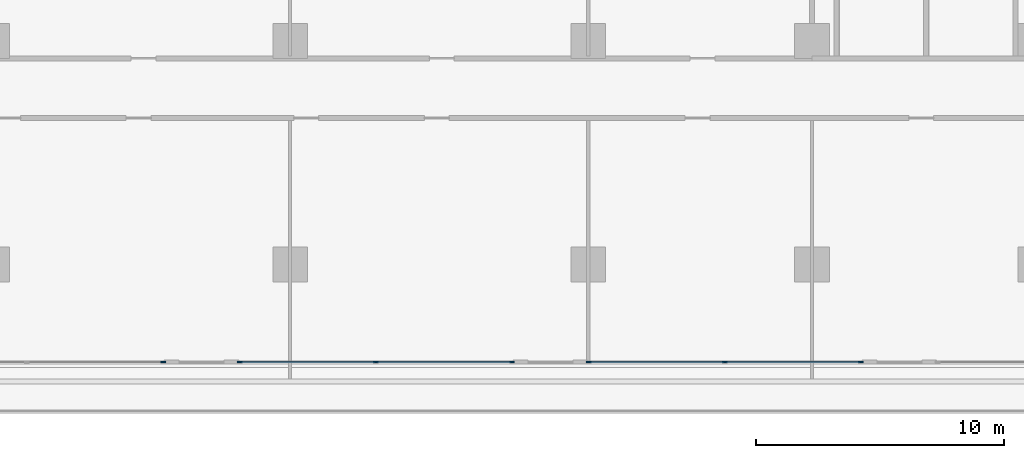
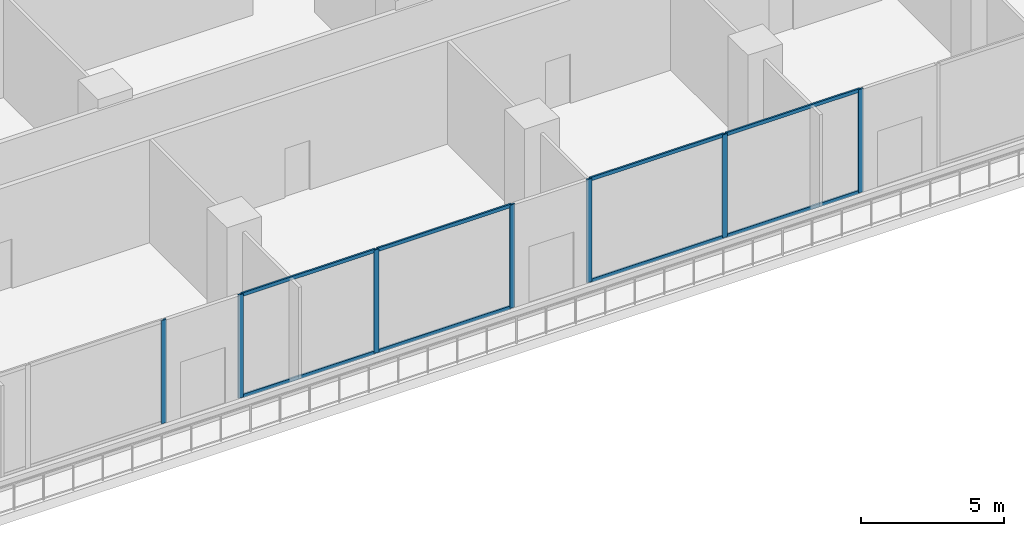
# One storey, part 4 of 31: 15 members, 3 elements without a shape of their own.
"""IFC4 building model written with IfcOpenShell, lengths in metres."""

from ifc_helpers import new_model, si_unit, direction, frame, origin, origin_2d, place, context, subcontext, project, spatial, rectangle, extrude, material, layer, layer_set, material_profile, profile_set, type_object, element, aggregate, save


model = new_model("IFC4")

# Units and contexts
model_context = context("Model", 3, precision=1e-05, world=origin(), true_north=direction((0.0, 1.0)))
body_context = subcontext(model_context, "Body", "Model", "MODEL_VIEW")
ifc_project = project(units=[si_unit("LENGTHUNIT", "METRE"), si_unit("AREAUNIT", "SQUARE_METRE"), si_unit("VOLUMEUNIT", "CUBIC_METRE"), si_unit("PLANEANGLEUNIT", "RADIAN"), si_unit("MASSUNIT", "GRAM", prefix="KILO")], contexts=[model_context])

# Site, building, storey
site_placement = place(None, origin())
site = spatial("IfcSite", under=ifc_project, at=site_placement, CompositionType="ELEMENT")
building_placement = place(site_placement, origin())
building = spatial("IfcBuilding", under=site, at=building_placement, Name="Chenar Terraces", CompositionType="ELEMENT")
storey_placement = place(building_placement, frame((0.0, 0.0, 7.199951171875)))
storey = spatial("IfcBuildingStorey", under=building, at=storey_placement, Name="L01", CompositionType="ELEMENT", Elevation=7.199951171875)

# Curtain wall, member
ifc_material_1 = material(Name="Aluminium framed glazing", Category="aluminium")
ifc_layer = layer(ifc_material_1, 0.14990234375)
ifc_layer_set = layer_set([ifc_layer], Name="Aluminium framed glazing")
curtain_wall_type = type_object("IfcCurtainWallType", Name="School curtain wall", PredefinedType="NOTDEFINED", material=ifc_layer_set)
placement = place(storey_placement, origin())
curtain_wall_1 = element("IfcCurtainWall", 1, at=placement, inside=storey, type_object=curtain_wall_type, Name="School curtain wall", PredefinedType="NOTDEFINED")
ifc_material_2 = material(Name="Aluminium", Category="aluminium")
ifc_material_profile_1 = material_profile(ifc_material_2, rectangle(XDim=0.070068359375, YDim=0.199951171875, at=origin_2d()), Name="School glazing mullion 70 x 200")
ifc_profile_set_1 = profile_set([ifc_material_profile_1], Name="Aluminium")
member_type_1 = type_object("IfcMemberType", Name="School glazing mullion 70 x 200", PredefinedType="MULLION", material=ifc_profile_set_1)
member_1_placement = place(storey_placement, frame((18.88427734375, -12.925048828125, 0.0), z_axis=(0.0, 0.0, 1.0), x_axis=(0.0, 1.0, 0.0)))
member_1 = element("IfcMember", 2, at=member_1_placement, type_object=member_type_1, Name="CW2-06c0 mullion 3", PredefinedType="MULLION", context=body_context, shape_type="SweptSolid", body=[
    extrude(rectangle(XDim=0.070068359375, YDim=0.199951171875, at=origin_2d()), origin(), (0.0, 0.0, 1.0), 4.400146484375),
])
aggregate(curtain_wall_1, [member_1])

# Curtain wall, members
curtain_wall_2 = element("IfcCurtainWall", 3, at=placement, inside=storey, type_object=curtain_wall_type, Name="School curtain wall", PredefinedType="NOTDEFINED")
member_2_placement = place(storey_placement, frame((21.9794921875, -12.925048828125, 0.0), z_axis=(0.0, 0.0, 1.0), x_axis=(0.0, 1.0, 0.0)))
member_2 = element("IfcMember", 4, at=member_2_placement, type_object=member_type_1, Name="CW2-06c1 mullion 1", PredefinedType="MULLION", context=body_context, shape_type="SweptSolid", body=[
    extrude(rectangle(XDim=0.070068359375, YDim=0.199951171875, at=origin_2d()), origin(), (0.0, 0.0, 1.0), 4.400146484375),
])
member_3_placement = place(storey_placement, frame((27.45458984375, -12.925048828125, 0.0), z_axis=(0.0, 0.0, 1.0), x_axis=(0.0, 1.0, 0.0)))
member_3 = element("IfcMember", 5, at=member_3_placement, type_object=member_type_1, Name="CW2-06c1 mullion 2", PredefinedType="MULLION", context=body_context, shape_type="SweptSolid", body=[
    extrude(rectangle(XDim=0.070068359375, YDim=0.199951171875, at=origin_2d()), origin(), (0.0, 0.0, 1.0), 4.400146484375),
])
member_4_placement = place(storey_placement, frame((32.9296875, -12.925048828125, 0.0), z_axis=(0.0, 0.0, 1.0), x_axis=(0.0, 1.0, 0.0)))
member_4 = element("IfcMember", 6, at=member_4_placement, type_object=member_type_1, Name="CW2-06c1 mullion 3", PredefinedType="MULLION", context=body_context, shape_type="SweptSolid", body=[
    extrude(rectangle(XDim=0.070068359375, YDim=0.199951171875, at=origin_2d()), origin(), (0.0, 0.0, 1.0), 4.400146484375),
])

curtain_wall_3 = element("IfcCurtainWall", 7, at=placement, inside=storey, type_object=curtain_wall_type, Name="School curtain wall", PredefinedType="NOTDEFINED")
member_5_placement = place(storey_placement, frame((36.02490234375, -12.925048828125, 0.0), z_axis=(0.0, 0.0, 1.0), x_axis=(0.0, 1.0, 0.0)))
member_5 = element("IfcMember", 8, at=member_5_placement, type_object=member_type_1, Name="CW2-06c2 mullion 1", PredefinedType="MULLION", context=body_context, shape_type="SweptSolid", body=[
    extrude(rectangle(XDim=0.070068359375, YDim=0.199951171875, at=origin_2d()), origin(), (0.0, 0.0, 1.0), 4.400146484375),
])
member_6_placement = place(storey_placement, frame((41.5, -12.925048828125, 0.0), z_axis=(0.0, 0.0, 1.0), x_axis=(0.0, 1.0, 0.0)))
member_6 = element("IfcMember", 9, at=member_6_placement, type_object=member_type_1, Name="CW2-06c2 mullion 2", PredefinedType="MULLION", context=body_context, shape_type="SweptSolid", body=[
    extrude(rectangle(XDim=0.070068359375, YDim=0.199951171875, at=origin_2d()), origin(), (0.0, 0.0, 1.0), 4.400146484375),
])
member_7_placement = place(storey_placement, frame((46.97509765625, -12.925048828125, 0.0), z_axis=(0.0, 0.0, 1.0), x_axis=(0.0, 1.0, 0.0)))
member_7 = element("IfcMember", 10, at=member_7_placement, type_object=member_type_1, Name="CW2-06c2 mullion 3", PredefinedType="MULLION", context=body_context, shape_type="SweptSolid", body=[
    extrude(rectangle(XDim=0.070068359375, YDim=0.199951171875, at=origin_2d()), origin(), (0.0, 0.0, 1.0), 4.400146484375),
])

# Member
ifc_material_3 = material(Name="Aluminium", Category="aluminium")
ifc_material_profile_2 = material_profile(ifc_material_3, rectangle(XDim=0.070068359375, YDim=0.14990234375, at=origin_2d()), Name="School glazing transom 70 x 150")
ifc_profile_set_2 = profile_set([ifc_material_profile_2], Name="Aluminium")
member_type_2 = type_object("IfcMemberType", Name="School glazing transom 70 x 150", PredefinedType="USERDEFINED", material=ifc_profile_set_2)
member_8_placement = place(storey_placement, frame((22.014404296875, -12.925048828125, 0.03515625), z_axis=(1.0, 0.0, 0.0), x_axis=(0.0, 1.0, 0.0)))
member_8 = element("IfcMember", 11, at=member_8_placement, type_object=member_type_2, Name="CW2-06c1 transom 1.1", ObjectType="TRANSOM", PredefinedType="USERDEFINED", context=body_context, shape_type="SweptSolid", body=[
    extrude(rectangle(XDim=0.070068359375, YDim=0.14990234375, at=origin_2d()), origin(), (0.0, 0.0, 1.0), 5.4052734375),
])

member_9_placement = place(storey_placement, frame((22.014404296875, -12.925048828125, 4.364990234375), z_axis=(1.0, 0.0, 0.0), x_axis=(0.0, 1.0, 0.0)))
member_9 = element("IfcMember", 12, at=member_9_placement, type_object=member_type_2, Name="CW2-06c1 transom 1.2", ObjectType="TRANSOM", PredefinedType="USERDEFINED", context=body_context, shape_type="SweptSolid", body=[
    extrude(rectangle(XDim=0.070068359375, YDim=0.14990234375, at=origin_2d()), origin(), (0.0, 0.0, 1.0), 5.4052734375),
])

member_10_placement = place(storey_placement, frame((27.489501953125, -12.925048828125, 0.03515625), z_axis=(1.0, 0.0, 0.0), x_axis=(0.0, 1.0, 0.0)))
member_10 = element("IfcMember", 13, at=member_10_placement, type_object=member_type_2, Name="CW2-06c1 transom 2.1", ObjectType="TRANSOM", PredefinedType="USERDEFINED", context=body_context, shape_type="SweptSolid", body=[
    extrude(rectangle(XDim=0.070068359375, YDim=0.14990234375, at=origin_2d()), origin(), (0.0, 0.0, 1.0), 5.4052734375),
])

member_11_placement = place(storey_placement, frame((27.489501953125, -12.925048828125, 4.364990234375), z_axis=(1.0, 0.0, 0.0), x_axis=(0.0, 1.0, 0.0)))
member_11 = element("IfcMember", 14, at=member_11_placement, type_object=member_type_2, Name="CW2-06c1 transom 2.2", ObjectType="TRANSOM", PredefinedType="USERDEFINED", context=body_context, shape_type="SweptSolid", body=[
    extrude(rectangle(XDim=0.070068359375, YDim=0.14990234375, at=origin_2d()), origin(), (0.0, 0.0, 1.0), 5.4052734375),
])

aggregate(curtain_wall_2, [member_2, member_3, member_4, member_8, member_9, member_10, member_11])

member_12_placement = place(storey_placement, frame((36.059814453125, -12.925048828125, 0.03515625), z_axis=(1.0, 0.0, 0.0), x_axis=(0.0, 1.0, 0.0)))
member_12 = element("IfcMember", 15, at=member_12_placement, type_object=member_type_2, Name="CW2-06c2 transom 1.1", ObjectType="TRANSOM", PredefinedType="USERDEFINED", context=body_context, shape_type="SweptSolid", body=[
    extrude(rectangle(XDim=0.070068359375, YDim=0.14990234375, at=origin_2d()), origin(), (0.0, 0.0, 1.0), 5.4052734375),
])

member_13_placement = place(storey_placement, frame((36.059814453125, -12.925048828125, 4.364990234375), z_axis=(1.0, 0.0, 0.0), x_axis=(0.0, 1.0, 0.0)))
member_13 = element("IfcMember", 16, at=member_13_placement, type_object=member_type_2, Name="CW2-06c2 transom 1.2", ObjectType="TRANSOM", PredefinedType="USERDEFINED", context=body_context, shape_type="SweptSolid", body=[
    extrude(rectangle(XDim=0.070068359375, YDim=0.14990234375, at=origin_2d()), origin(), (0.0, 0.0, 1.0), 5.4052734375),
])

member_14_placement = place(storey_placement, frame((41.534912109375, -12.925048828125, 0.03515625), z_axis=(1.0, 0.0, 0.0), x_axis=(0.0, 1.0, 0.0)))
member_14 = element("IfcMember", 17, at=member_14_placement, type_object=member_type_2, Name="CW2-06c2 transom 2.1", ObjectType="TRANSOM", PredefinedType="USERDEFINED", context=body_context, shape_type="SweptSolid", body=[
    extrude(rectangle(XDim=0.070068359375, YDim=0.14990234375, at=origin_2d()), origin(), (0.0, 0.0, 1.0), 5.4052734375),
])

member_15_placement = place(storey_placement, frame((41.534912109375, -12.925048828125, 4.364990234375), z_axis=(1.0, 0.0, 0.0), x_axis=(0.0, 1.0, 0.0)))
member_15 = element("IfcMember", 18, at=member_15_placement, type_object=member_type_2, Name="CW2-06c2 transom 2.2", ObjectType="TRANSOM", PredefinedType="USERDEFINED", context=body_context, shape_type="SweptSolid", body=[
    extrude(rectangle(XDim=0.070068359375, YDim=0.14990234375, at=origin_2d()), origin(), (0.0, 0.0, 1.0), 5.4052734375),
])

aggregate(curtain_wall_3, [member_5, member_6, member_7, member_12, member_13, member_14, member_15])

save(model, "model.ifc")
